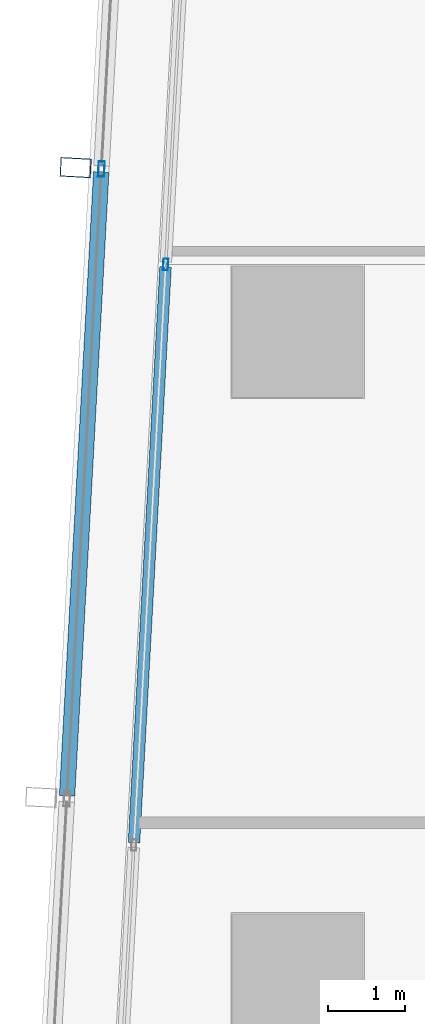
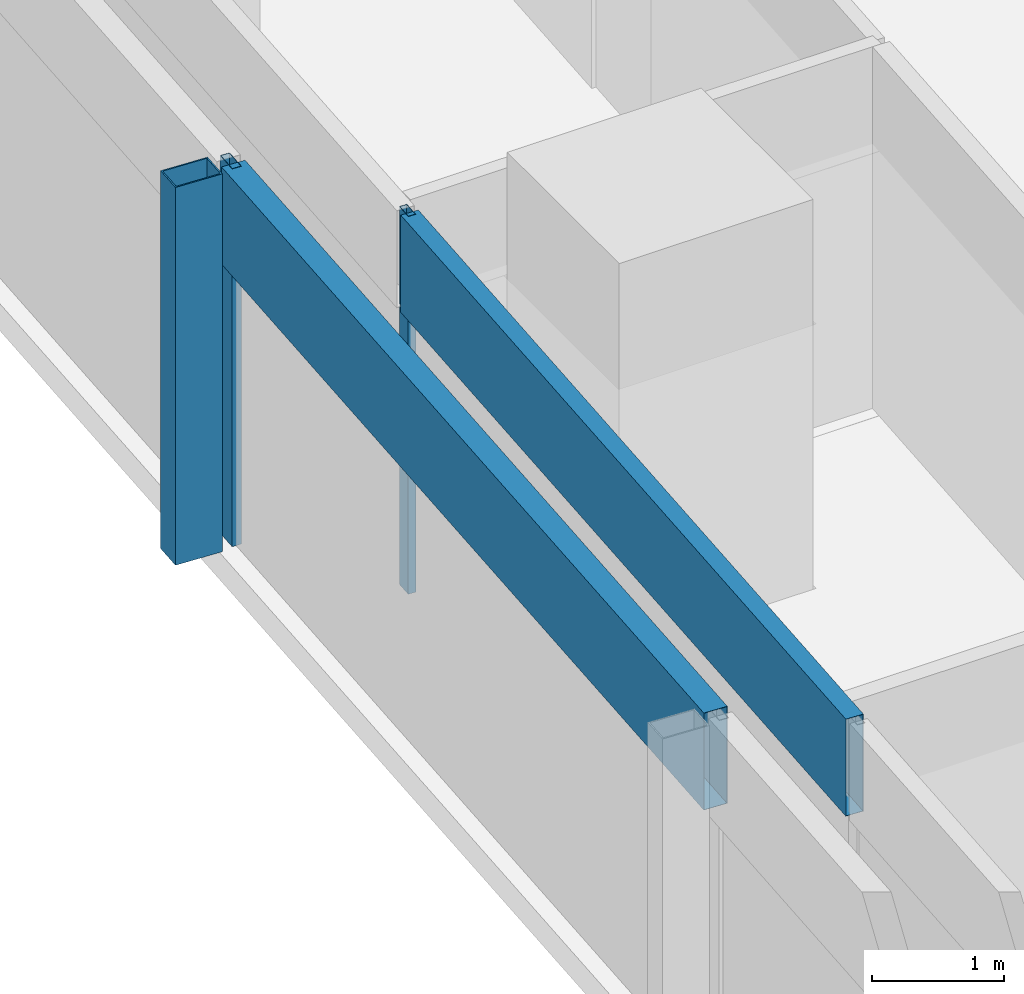
# One storey, part 8 of 40: 5 members, 2 elements without a shape of their own.
"""IFC4 building model written with IfcOpenShell, lengths in metres."""

import ifcopenshell
import ifcopenshell.guid

model = None  # the IFC model being written
_history = None  # IfcOwnerHistory: only IFC2X3 demands one
_inside = {}  # id of a spatial element -> (the spatial element, [elements in it])
_under = {}  # id of a project, library or spatial element -> (it, [spatial elements below it])
_declared = {}  # id of a project -> (the project, [libraries it declares])
_typed = {}  # id of a type object -> (the type object, [elements of that type])
_made_of = {}  # id of a material, layer set ... -> (it, [elements and type objects made of it])


def new_model(schema):
    """Start an empty IFC model of exactly this schema.

    Asked for "IFC4X3", IfcOpenShell would pick the latest addendum, in which some entities
    have other attributes; the version numbers below select the first issue.
    IFC2X3 requires an IfcOwnerHistory on every rooted entity: one is made here for all.
    """
    global model, _history
    if schema == "IFC4X3":
        model = ifcopenshell.file(schema_version=(4, 3, 0, 0))
    else:
        model = ifcopenshell.file(schema=schema)
    _inside.clear()
    _under.clear()
    _declared.clear()
    _typed.clear()
    _made_of.clear()
    _history = None
    if model.schema == "IFC2X3":
        org = make("IfcOrganization", Name="unknown")
        user = make(
            "IfcPersonAndOrganization",
            ThePerson=make("IfcPerson", FamilyName="unknown"),
            TheOrganization=org,
        )
        app = make(
            "IfcApplication",
            ApplicationDeveloper=org,
            Version="unknown",
            ApplicationFullName="unknown",
            ApplicationIdentifier="unknown",
        )
        _history = make(
            "IfcOwnerHistory",
            OwningUser=user,
            OwningApplication=app,
            ChangeAction="ADDED",
            CreationDate=0,
        )
    return model


def make(cls, **values):
    """One entity of the class cls with the attributes given. An attribute that is None is left unset."""
    return model.create_entity(
        cls, **{name: value for name, value in values.items() if value is not None}
    )


def rooted(cls, **values):
    """An entity with a GlobalId (a new one), such as an element, a storey or a relation."""
    return make(cls, GlobalId=ifcopenshell.guid.new(), OwnerHistory=_history, **values)


def si_unit(unit_type, name, prefix=None):
    """IfcSIUnit, for example si_unit("LENGTHUNIT", "METRE", prefix="MILLI")."""
    return make("IfcSIUnit", UnitType=unit_type, Prefix=prefix, Name=name)


def assignment(units):
    """IfcUnitAssignment: the units of a project."""
    return None if units is None else make("IfcUnitAssignment", Units=units)


def point(xyz):
    """IfcCartesianPoint."""
    return None if xyz is None else make("IfcCartesianPoint", Coordinates=xyz)


def direction(xyz):
    """IfcDirection."""
    return None if xyz is None else make("IfcDirection", DirectionRatios=xyz)


def frame(location, z_axis=None, x_axis=None):
    """IfcAxis2Placement3D, a coordinate frame: its origin and axes. An axis left out is left unset."""
    return make(
        "IfcAxis2Placement3D",
        Location=point(location),
        Axis=direction(z_axis),
        RefDirection=direction(x_axis),
    )


def frame_2d(location, x_axis=None):
    """IfcAxis2Placement2D, a coordinate frame in the plane: its origin and x axis."""
    return make(
        "IfcAxis2Placement2D", Location=point(location), RefDirection=direction(x_axis)
    )


def origin():
    """The frame at (0, 0, 0) with its axes left unset."""
    return frame((0.0, 0.0, 0.0))


def origin_2d():
    """The frame at (0, 0) in the plane with its x axis left unset."""
    return frame_2d((0.0, 0.0))


def place(relative_to, where):
    """IfcLocalPlacement: puts the frame where relative to a parent placement (None: the world)."""
    return make(
        "IfcLocalPlacement", PlacementRelTo=relative_to, RelativePlacement=where
    )


def context(
    kind, dimensions, precision=None, world=None, true_north=None, identifier=None
):
    """IfcGeometricRepresentationContext, for example the 3D "Model" context."""
    return make(
        "IfcGeometricRepresentationContext",
        ContextIdentifier=identifier,
        ContextType=kind,
        CoordinateSpaceDimension=dimensions,
        Precision=precision,
        WorldCoordinateSystem=world,
        TrueNorth=true_north,
    )


def subcontext(parent, identifier, kind, view, scale=None):
    """IfcGeometricRepresentationSubContext, for example "Body" below "Model"."""
    return make(
        "IfcGeometricRepresentationSubContext",
        ContextIdentifier=identifier,
        ContextType=kind,
        ParentContext=parent,
        TargetScale=scale,
        TargetView=view,
    )


def project(units=None, contexts=None):
    """IfcProject with its units and contexts."""
    return rooted(
        "IfcProject",
        Name="project",
        RepresentationContexts=contexts,
        UnitsInContext=assignment(units),
    )


def spatial(cls, under=None, at=None, **own):
    """A site, building, storey or space (cls), placed at a placement, below another one or the project."""
    s = rooted(cls, ObjectPlacement=at, **own)
    if under is not None:
        _under.setdefault(under.id(), (under, []))[1].append(s)
    return s


def profile(cls, at=None, kind="AREA", **sizes):
    """A parametric profile (cls). Its sizes go by their IFC names, for example OverallWidth=200.0."""
    return make(cls, ProfileType=kind, Position=at, **sizes)


def hollow_rectangle(**sizes):
    """IfcRectangleHollowProfileDef."""
    return profile("IfcRectangleHollowProfileDef", **sizes)


def extrude(swept, where, along, depth):
    """IfcExtrudedAreaSolid: the profile swept, set in the frame where, extruded along a direction by depth."""
    return make(
        "IfcExtrudedAreaSolid",
        SweptArea=swept,
        Position=where,
        ExtrudedDirection=direction(along),
        Depth=depth,
    )


def shape(context_of_items, identifier, shape_type, items):
    """IfcShapeRepresentation: the items that make up one representation, for example the "Body"."""
    return make(
        "IfcShapeRepresentation",
        ContextOfItems=context_of_items,
        RepresentationIdentifier=identifier,
        RepresentationType=shape_type,
        Items=items,
    )


def material(Name=None, Category=None):
    """IfcMaterial."""
    return make("IfcMaterial", Name=Name, Category=Category)


def material_profile(
    of_material, cross_section, Name=None, Category=None, Priority=None
):
    """IfcMaterialProfile: a cross section and its material."""
    return make(
        "IfcMaterialProfile",
        Name=Name,
        Material=of_material,
        Profile=cross_section,
        Priority=Priority,
        Category=Category,
    )


def profile_set(profiles, Name=None, composite=None):
    """IfcMaterialProfileSet."""
    return make(
        "IfcMaterialProfileSet",
        Name=Name,
        MaterialProfiles=profiles,
        CompositeProfile=composite,
    )


def made_of(thing, what):
    """Note that an element or type object is made of a material, layer set ...; save() writes the relation."""
    if what is not None:
        _made_of.setdefault(what.id(), (what, []))[1].append(thing)
    return thing


def type_object(cls, material=None, **own):
    """A type object (cls), such as IfcWallType, which elements share."""
    return made_of(rooted(cls, **own), material)


def element(
    cls,
    number,
    at=None,
    inside=None,
    cuts=None,
    type_object=None,
    material=None,
    context=None,
    identifier="Body",
    shape_type=None,
    held_by="IfcProductDefinitionShape",
    body=None,
    shapes=None,
    **own,
):
    """One element of the class cls, such as IfcWall. Its Tag is "e" and its number.

    at: its placement. inside: the storey or other place that contains it. cuts: it is an
    opening in that element (IfcRelVoidsElement). A single representation is given by context,
    identifier, shape_type and body (its items); several are given by shapes. held_by: the class
    of the entity that holds the representations. save() writes the other relations.
    """
    e = rooted(cls, Tag="e%d" % number, ObjectPlacement=at, **own)
    if body is not None:
        shapes = [shape(context, identifier, shape_type, body)]
    if shapes is not None:
        e.Representation = make(held_by, Representations=shapes)
    if inside is not None:
        _inside.setdefault(inside.id(), (inside, []))[1].append(e)
    if cuts is not None:
        rooted(
            "IfcRelVoidsElement", RelatingBuildingElement=cuts, RelatedOpeningElement=e
        )
    if type_object is not None:
        _typed.setdefault(type_object.id(), (type_object, []))[1].append(e)
    return made_of(e, material)


def aggregate(whole, parts):
    """IfcRelAggregates: a whole, such as a stair, and the parts it consists of."""
    return rooted("IfcRelAggregates", RelatingObject=whole, RelatedObjects=parts)


def save(model, path):
    """Write the relations noted so far, then the file.

    IfcRelAggregates (storeys below a building ...), IfcRelContainedInSpatialStructure (elements
    in a storey), IfcRelDefinesByType, IfcRelAssociatesMaterial and IfcRelDeclares: one each for
    every whole, place, type object, material and project.
    """
    for whole, parts in _under.values():
        aggregate(whole, parts)
    for where, things in _inside.values():
        rooted(
            "IfcRelContainedInSpatialStructure",
            RelatedElements=things,
            RelatingStructure=where,
        )
    for kind, things in _typed.values():
        rooted("IfcRelDefinesByType", RelatedObjects=things, RelatingType=kind)
    for what, things in _made_of.values():
        rooted("IfcRelAssociatesMaterial", RelatedObjects=things, RelatingMaterial=what)
    for by, libraries in _declared.values():
        rooted("IfcRelDeclares", RelatingContext=by, RelatedDefinitions=libraries)
    model.write(path)


model = new_model("IFC4")

# Units and contexts
model_context = context("Model", 3, precision=1e-05, world=origin(), true_north=direction((0.0, 1.0)))
body_context = subcontext(model_context, "Body", "Model", "MODEL_VIEW")
ifc_project = project(units=[si_unit("LENGTHUNIT", "METRE"), si_unit("AREAUNIT", "SQUARE_METRE"), si_unit("VOLUMEUNIT", "CUBIC_METRE"), si_unit("PLANEANGLEUNIT", "RADIAN"), si_unit("MASSUNIT", "GRAM", prefix="KILO")], contexts=[model_context])

# Site, building, storey
site_placement = place(None, origin())
site = spatial("IfcSite", under=ifc_project, at=site_placement, CompositionType="ELEMENT")
building_placement = place(site_placement, origin())
building = spatial("IfcBuilding", under=site, at=building_placement, Name="Rekha Terrace Tower", CompositionType="ELEMENT")
storey_placement = place(building_placement, frame((0.0, 0.0, 125.300048828125)))
storey = spatial("IfcBuildingStorey", under=building, at=storey_placement, Name="L31", CompositionType="ELEMENT", Elevation=125.300048828125)

# Curtain wall, member
ifc_material_1 = material(Name="Aluminium framing", Category="aluminium")
curtain_wall_type_1 = type_object("IfcCurtainWallType", Name="CW2 double skin outer glazing", PredefinedType="USERDEFINED", material=ifc_material_1)
curtain_wall_1_placement = place(storey_placement, origin())
curtain_wall_1 = element("IfcCurtainWall", 1, at=curtain_wall_1_placement, inside=storey, type_object=curtain_wall_type_1, Name="CW2 double skin outer glazing", ObjectType="DOUBLE SKIN OUTER GLAZING", PredefinedType="USERDEFINED")
ifc_material_2 = material(Name="Steel S355 with fluorocarbon finish", Category="steel")
ifc_material_profile_1 = material_profile(ifc_material_2, hollow_rectangle(XDim=0.25, YDim=0.39990234375, WallThickness=0.012451171875, at=origin_2d()), Name="RHS400x250x12.5")
ifc_profile_set_1 = profile_set([ifc_material_profile_1], Name="Steel S355 with fluorocarbon finish")
member_type_1 = type_object("IfcMemberType", Name="BL1 facade blade RHS 400 x 250", PredefinedType="USERDEFINED", material=ifc_profile_set_1)
member_1_placement = place(storey_placement, frame((5.521728515625, 44.128662109375, 0.0), z_axis=(0.0, 0.0, 1.0), x_axis=(-0.054742798353, -0.998500488747, 0.0)))
member_1 = element("IfcMember", 2, at=member_1_placement, type_object=member_type_1, Name="Facade blade", ObjectType="FACADE BLADE", PredefinedType="USERDEFINED", context=body_context, shape_type="SweptSolid", body=[
    extrude(hollow_rectangle(XDim=0.25, YDim=0.39990234375, WallThickness=0.012451171875, at=origin_2d()), origin(), (0.0, 0.0, 1.0), 3.5),
])

# Curtain wall, members
curtain_wall_type_2 = type_object("IfcCurtainWallType", Name="CW1 double skin inner glazing", PredefinedType="USERDEFINED", material=ifc_material_1)
curtain_wall_2_placement = place(storey_placement, origin())
curtain_wall_2 = element("IfcCurtainWall", 3, at=curtain_wall_2_placement, inside=storey, type_object=curtain_wall_type_2, Name="CW1 double skin inner glazing", ObjectType="DOUBLE SKIN INNER GLAZING", PredefinedType="USERDEFINED")
ifc_material_3 = material(Name="Aluminium mullion section", Category="aluminium")
ifc_material_profile_2 = material_profile(ifc_material_3, hollow_rectangle(XDim=0.06494140625, YDim=0.14990234375, WallThickness=0.00390625, at=origin_2d()), Name="AL RHS 65x150")
ifc_profile_set_2 = profile_set([ifc_material_profile_2], Name="Aluminium mullion section")
member_type_2 = type_object("IfcMemberType", Name="CW1 mullion RHS 65 x 150", PredefinedType="MULLION", material=ifc_profile_set_2)
member_2_placement = place(storey_placement, frame((6.689697265625, 42.87255859375, 0.0), z_axis=(0.0, 0.0, 1.0), x_axis=(0.99850051318, -0.054742352707, 0.0)))
member_2 = element("IfcMember", 4, at=member_2_placement, type_object=member_type_2, Name="CW1 mullion 3", PredefinedType="MULLION", context=body_context, shape_type="SweptSolid", body=[
    extrude(hollow_rectangle(XDim=0.06494140625, YDim=0.14990234375, WallThickness=0.00390625, at=origin_2d()), origin(), (0.0, 0.0, 1.0), 3.5),
])
ifc_material_4 = material(Name="Insulated aluminium spandrel box", Category="aluminium")
ifc_material_profile_3 = material_profile(ifc_material_4, hollow_rectangle(XDim=0.14990234375, YDim=0.89990234375, WallThickness=0.0029296875, at=origin_2d()), Name="AL SPANDREL BOX 150x900")
ifc_profile_set_3 = profile_set([ifc_material_profile_3], Name="Insulated aluminium spandrel box")
member_type_3 = type_object("IfcMemberType", Name="CW1 spandrel transom 150 x 900", PredefinedType="USERDEFINED", material=ifc_profile_set_3)
member_3_placement = place(storey_placement, frame((6.68798828125, 42.840087890625, 3.050048828125), z_axis=(-0.054766415299, -0.998499193668, 0.0), x_axis=(0.998499193668, -0.054766415299, 0.0)))
member_3 = element("IfcMember", 5, at=member_3_placement, type_object=member_type_3, Name="CW1 spandrel transom 3", ObjectType="TRANSOM", PredefinedType="USERDEFINED", context=body_context, shape_type="SweptSolid", body=[
    extrude(hollow_rectangle(XDim=0.14990234375, YDim=0.89990234375, WallThickness=0.0029296875, at=origin_2d()), origin(), (0.0, 0.0, 1.0), 7.475830078125),
])
aggregate(curtain_wall_2, [member_2, member_3])

# Member
ifc_material_profile_4 = material_profile(ifc_material_3, hollow_rectangle(XDim=0.080078125, YDim=0.199951171875, WallThickness=0.00390625, at=origin_2d()), Name="AL RHS 80x200")
ifc_profile_set_4 = profile_set([ifc_material_profile_4], Name="Aluminium mullion section")
member_type_4 = type_object("IfcMemberType", Name="CW2 mullion RHS 80 x 200", PredefinedType="MULLION", material=ifc_profile_set_4)
member_4_placement = place(storey_placement, frame((5.856201171875, 44.1103515625, 0.0), z_axis=(0.0, 0.0, 1.0), x_axis=(0.99850051318, -0.054742352707, 0.0)))
member_4 = element("IfcMember", 6, at=member_4_placement, type_object=member_type_4, Name="CW2 mullion 3", PredefinedType="MULLION", context=body_context, shape_type="SweptSolid", body=[
    extrude(hollow_rectangle(XDim=0.080078125, YDim=0.199951171875, WallThickness=0.00390625, at=origin_2d()), origin(), (0.0, 0.0, 1.0), 3.5),
])

ifc_material_profile_5 = material_profile(ifc_material_4, hollow_rectangle(XDim=0.199951171875, YDim=0.89990234375, WallThickness=0.0029296875, at=origin_2d()), Name="AL SPANDREL BOX 200x900")
ifc_profile_set_5 = profile_set([ifc_material_profile_5], Name="Insulated aluminium spandrel box")
member_type_5 = type_object("IfcMemberType", Name="CW2 spandrel transom 200 x 900", PredefinedType="USERDEFINED", material=ifc_profile_set_5)
member_5_placement = place(storey_placement, frame((5.85400390625, 44.070556640625, 3.050048828125), z_axis=(-0.054735499102, -0.998500888902, 0.0), x_axis=(0.998500888902, -0.054735499102, 0.0)))
member_5 = element("IfcMember", 7, at=member_5_placement, type_object=member_type_5, Name="CW2 spandrel transom 3", ObjectType="TRANSOM", PredefinedType="USERDEFINED", context=body_context, shape_type="SweptSolid", body=[
    extrude(hollow_rectangle(XDim=0.199951171875, YDim=0.89990234375, WallThickness=0.0029296875, at=origin_2d()), origin(), (0.0, 0.0, 1.0), 8.10009765625),
])

aggregate(curtain_wall_1, [member_4, member_5, member_1])

save(model, "model.ifc")
